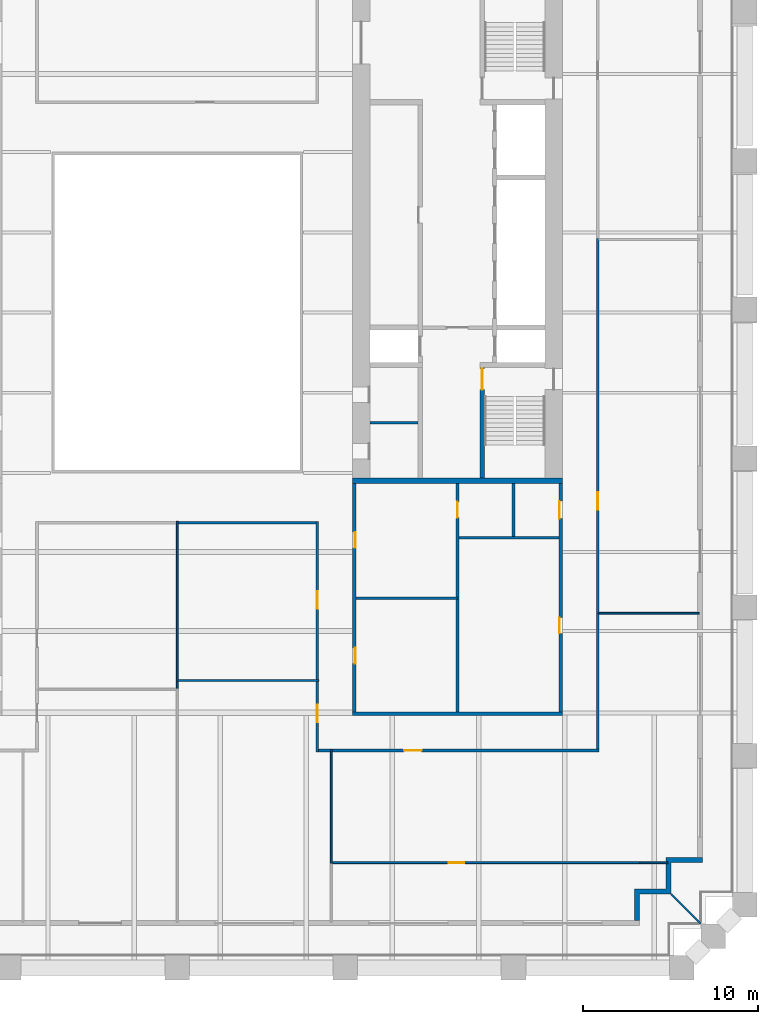
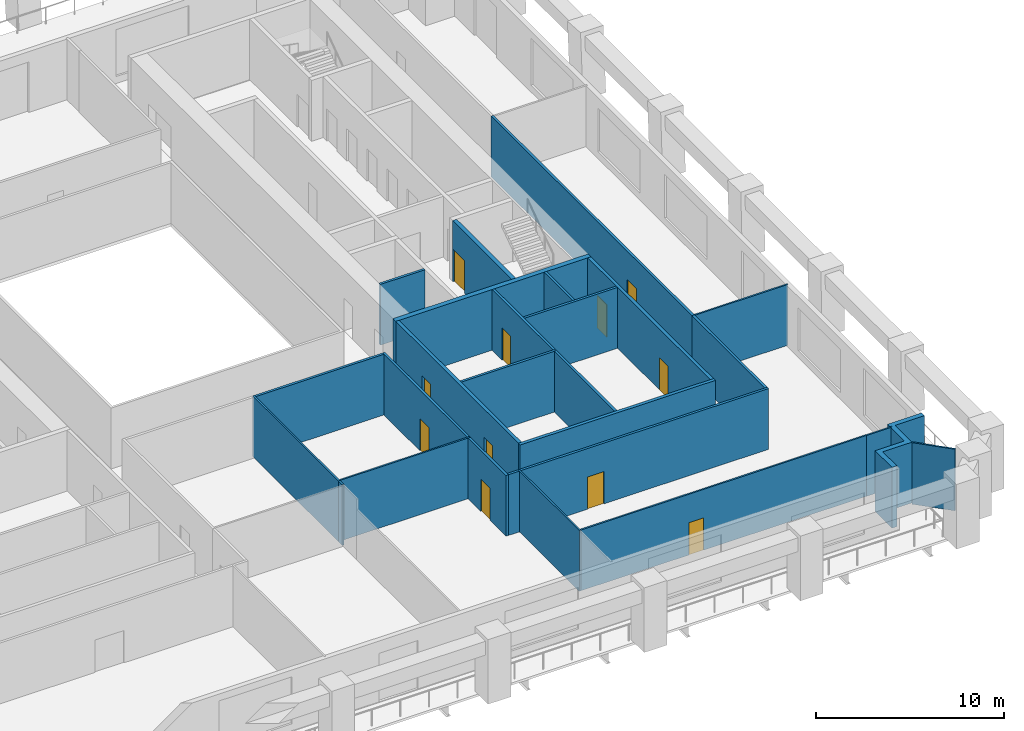
# One storey, part 4 of 9: 26 walls, 11 doors, 11 openings.
"""IFC4 building model written with IfcOpenShell, lengths in metres."""

from ifc_helpers import new_model, si_unit, direction, frame, frame_2d, origin, place, context, subcontext, project, spatial, polyline, rectangle, outline, extrude, material, layer, layer_set, type_object, element, fill, save


model = new_model("IFC4")

# Units and contexts
model_context = context("Model", 3, precision=1e-05, world=origin(), true_north=direction((0.0, 1.0)))
body_context = subcontext(model_context, "Body", "Model", "MODEL_VIEW")
ifc_project = project(units=[si_unit("LENGTHUNIT", "METRE"), si_unit("AREAUNIT", "SQUARE_METRE"), si_unit("VOLUMEUNIT", "CUBIC_METRE"), si_unit("PLANEANGLEUNIT", "RADIAN"), si_unit("MASSUNIT", "GRAM", prefix="KILO")], contexts=[model_context])

# Site, building, storey
site_placement = place(None, origin())
site = spatial("IfcSite", under=ifc_project, at=site_placement, CompositionType="ELEMENT")
building_placement = place(site_placement, origin())
building = spatial("IfcBuilding", under=site, at=building_placement, Name="Ogive Exchange Tower", CompositionType="ELEMENT")
storey_placement = place(building_placement, frame((0.0, 0.0, 85.800048828125)))
storey = spatial("IfcBuildingStorey", under=building, at=storey_placement, Name="L18", CompositionType="ELEMENT", Elevation=85.800048828125)

# Wall
ifc_material_1 = material(Name="Gypsum board partition")
ifc_layer_1 = layer(ifc_material_1, 0.14990234375)
ifc_layer_set_1 = layer_set([ifc_layer_1], Name="Core room partition 150 gypsum")
wall_type_1 = type_object("IfcWallType", Name="Core room partition 150 gypsum", PredefinedType="PARTITIONING", material=ifc_layer_set_1)
wall_1_placement = place(storey_placement, frame((11.0, 0.699951171875, 0.0), z_axis=(0.0, 0.0, 1.0), x_axis=(1.0, 0.0, 0.0)))
element("IfcWall", 1, at=wall_1_placement, inside=storey, type_object=wall_type_1, Name="E south room partition", PredefinedType="PARTITIONING", context=body_context, shape_type="SweptSolid", body=[
    extrude(rectangle(XDim=2.75, YDim=0.14990234375, at=frame_2d((1.375, 0.0))), origin(), (0.0, 0.0, 1.0), 3.949951171875),
])

# Wall, opening, door
wall_2_placement = place(storey_placement, frame((16.0, -15.800048828125, 0.0), z_axis=(0.0, 0.0, 1.0), x_axis=(0.0, 1.0, 0.0)))
wall_2 = element("IfcWall", 2, at=wall_2_placement, inside=storey, type_object=wall_type_1, Name="E annex S column wall", PredefinedType="PARTITIONING", context=body_context, shape_type="SweptSolid", body=[
    extrude(rectangle(XDim=13.050048828125, YDim=0.14990234375, at=frame_2d((6.52490234375, 0.0))), origin(), (0.0, 0.0, 1.0), 3.949951171875),
])
opening_1_placement = place(wall_2_placement, frame((11.08740234375, 0.0, 0.0)))
opening_1 = element("IfcOpeningElement", 3, at=opening_1_placement, cuts=wall_2, Name="Opening L18-C41", PredefinedType="OPENING", context=body_context, shape_type="SweptSolid", body=[
    extrude(rectangle(XDim=0.89990234375, YDim=2.10009765625, at=frame_2d((0.449951171875, 1.050048828125))), frame((0.0, 0.0849609375, 0.0), z_axis=(0.0, -1.0, 0.0), x_axis=(1.0, 0.0, 0.0)), (0.0, 0.0, 1.0), 0.169921875),
])
ifc_material_2 = material(Name="Timber fire door", Category="wood")
door_type_1 = type_object("IfcDoorType", Name="Core room door FD30S 900 x 2100", OperationType="NOTDEFINED", PredefinedType="DOOR", material=ifc_material_2)
door_1_placement = place(opening_1_placement, origin())
door_1 = element("IfcDoor", 4, at=door_1_placement, inside=storey, type_object=door_type_1, Name="Core room door", ObjectType="CD6", OperationType="SINGLE_SWING_LEFT", OverallHeight=2.10009765625, OverallWidth=0.89990234375, PredefinedType="DOOR", context=body_context, shape_type="SweptSolid", body=[
    extrude(rectangle(XDim=0.89990234375, YDim=2.10009765625, at=frame_2d((0.449951171875, 1.050048828125))), frame((0.0, 0.02490234375, 0.0), z_axis=(0.0, -1.0, 0.0), x_axis=(1.0, 0.0, 0.0)), (0.0, 0.0, 1.0), 0.050048828125),
])
fill(opening_1, door_1)

# Walls
wall_3_placement = place(storey_placement, frame((10.199951171875, -9.300048828125, 0.0), z_axis=(0.0, 0.0, 1.0), x_axis=(1.0, 0.0, 0.0)))
element("IfcWall", 5, at=wall_3_placement, inside=storey, type_object=wall_type_1, Name="E annex S cross wall", PredefinedType="PARTITIONING", context=body_context, shape_type="SweptSolid", body=[
    extrude(rectangle(XDim=5.800048828125, YDim=0.14990234375, at=frame_2d((2.89990234375, 0.0))), origin(), (0.0, 0.0, 1.0), 3.949951171875),
])
wall_4_placement = place(storey_placement, frame((16.074951171875, -5.85009765625, 0.0), z_axis=(0.0, 0.0, 1.0), x_axis=(1.0, 0.0, 0.0)))
element("IfcWall", 6, at=wall_4_placement, inside=storey, type_object=wall_type_1, Name="E annex S wc strip wall 00", PredefinedType="PARTITIONING", context=body_context, shape_type="SweptSolid", body=[
    extrude(rectangle(XDim=5.72509765625, YDim=0.14990234375, at=frame_2d((2.862548828125, 0.0))), origin(), (0.0, 0.0, 1.0), 3.949951171875),
])
wall_5_placement = place(storey_placement, frame((19.199951171875, -5.77490234375, 0.0), z_axis=(0.0, 0.0, 1.0), x_axis=(0.0, 1.0, 0.0)))
element("IfcWall", 7, at=wall_5_placement, inside=storey, type_object=wall_type_1, Name="E annex S wc partition 00", PredefinedType="PARTITIONING", context=body_context, shape_type="SweptSolid", body=[
    extrude(rectangle(XDim=3.02490234375, YDim=0.14990234375, at=frame_2d((1.512451171875, 0.0))), origin(), (0.0, 0.0, 1.0), 3.949951171875),
])

# Wall, opening, door
ifc_material_3 = material(Name="Fire partition EI 60 150")
ifc_layer_2 = layer(ifc_material_3, 0.14990234375)
ifc_layer_set_2 = layer_set([ifc_layer_2], Name="Fire partition EI 60 150")
wall_type_2 = type_object("IfcWallType", Name="Fire partition EI 60 150", PredefinedType="PARTITIONING", material=ifc_layer_set_2)
wall_6_placement = place(storey_placement, frame((8.0, -18.074951171875, 0.0), z_axis=(0.0, 0.0, 1.0), x_axis=(0.0, 1.0, 0.0)))
wall_6 = element("IfcWall", 8, at=wall_6_placement, inside=storey, type_object=wall_type_2, Name="L18-PWL-021", PredefinedType="PARTITIONING", context=body_context, shape_type="SweptSolid", body=[
    extrude(rectangle(XDim=4.02490234375, YDim=0.14990234375, at=frame_2d((2.012451171875, 0.0))), origin(), (0.0, 0.0, 1.0), 3.949951171875),
])
opening_2_placement = place(wall_6_placement, frame((1.675048828125, 0.0, 0.0)))
opening_2 = element("IfcOpeningElement", 9, at=opening_2_placement, cuts=wall_6, Name="Opening L18-I05", PredefinedType="OPENING", context=body_context, shape_type="SweptSolid", body=[
    extrude(rectangle(XDim=1.0, YDim=2.10009765625, at=frame_2d((0.5, 1.050048828125))), frame((0.0, 0.0849609375, 0.0), z_axis=(0.0, -1.0, 0.0), x_axis=(1.0, 0.0, 0.0)), (0.0, 0.0, 1.0), 0.169921875),
])
ifc_material_4 = material(Name="Fire door FD 30S 1000 x 2100")
door_type_2 = type_object("IfcDoorType", Name="Fire door FD 30S 1000 x 2100", OperationType="NOTDEFINED", PredefinedType="DOOR", material=ifc_material_4)
door_2_placement = place(opening_2_placement, origin())
door_2 = element("IfcDoor", 10, at=door_2_placement, inside=storey, type_object=door_type_2, Name="L18-IDR-005", ObjectType="DT3", OperationType="SINGLE_SWING_LEFT", OverallHeight=2.10009765625, OverallWidth=1.0, PredefinedType="DOOR", context=body_context, shape_type="SweptSolid", body=[
    extrude(rectangle(XDim=1.0, YDim=2.10009765625, at=frame_2d((0.5, 1.050048828125))), frame((0.0, 0.02490234375, 0.0), z_axis=(0.0, -1.0, 0.0), x_axis=(1.0, 0.0, 0.0)), (0.0, 0.0, 1.0), 0.050048828125),
])
fill(opening_2, door_2)

wall_7_placement = place(storey_placement, frame((8.0, -13.949951171875, 0.0), z_axis=(0.0, 0.0, 1.0), x_axis=(0.0, 1.0, 0.0)))
wall_7 = element("IfcWall", 11, at=wall_7_placement, inside=storey, type_object=wall_type_2, Name="L18-PWL-022", PredefinedType="PARTITIONING", context=body_context, shape_type="SweptSolid", body=[
    extrude(rectangle(XDim=9.02490234375, YDim=0.14990234375, at=frame_2d((4.512451171875, 0.0))), origin(), (0.0, 0.0, 1.0), 3.949951171875),
])
opening_3_placement = place(wall_7_placement, frame((4.050048828125, 0.0, 0.0)))
opening_3 = element("IfcOpeningElement", 12, at=opening_3_placement, cuts=wall_7, Name="Opening L18-I06", PredefinedType="OPENING", context=body_context, shape_type="SweptSolid", body=[
    extrude(rectangle(XDim=1.0, YDim=2.10009765625, at=frame_2d((0.5, 1.050048828125))), frame((0.0, 0.0849609375, 0.0), z_axis=(0.0, -1.0, 0.0), x_axis=(1.0, 0.0, 0.0)), (0.0, 0.0, 1.0), 0.169921875),
])
door_3_placement = place(opening_3_placement, origin())
door_3 = element("IfcDoor", 13, at=door_3_placement, inside=storey, type_object=door_type_2, Name="L18-IDR-006", ObjectType="DT3", OperationType="SINGLE_SWING_RIGHT", OverallHeight=2.10009765625, OverallWidth=1.0, PredefinedType="DOOR", context=body_context, shape_type="SweptSolid", body=[
    extrude(rectangle(XDim=1.0, YDim=2.10009765625, at=frame_2d((0.5, 1.050048828125))), frame((0.0, 0.02490234375, 0.0), z_axis=(0.0, -1.0, 0.0), x_axis=(1.0, 0.0, 0.0)), (0.0, 0.0, 1.0), 0.050048828125),
])
fill(opening_3, door_3)

# Walls
wall_8_placement = place(storey_placement, frame((7.925048828125, -5.0, 0.0), z_axis=(0.0, 0.0, 1.0), x_axis=(-1.0, 0.0, 0.0)))
element("IfcWall", 14, at=wall_8_placement, inside=storey, type_object=wall_type_2, Name="L18-PWL-023", PredefinedType="PARTITIONING", context=body_context, shape_type="SweptSolid", body=[
    extrude(rectangle(XDim=7.875, YDim=0.14990234375, at=frame_2d((3.9375, 0.0))), origin(), (0.0, 0.0, 1.0), 3.949951171875),
])
wall_9_placement = place(storey_placement, frame((8.75, -18.0, 0.0), z_axis=(0.0, 0.0, 1.0), x_axis=(-1.0, 0.0, 0.0)))
element("IfcWall", 15, at=wall_9_placement, inside=storey, type_object=wall_type_2, Name="L18-PWL-029", PredefinedType="PARTITIONING", context=body_context, shape_type="SweptSolid", body=[
    extrude(rectangle(XDim=0.675048828125, YDim=0.14990234375, at=frame_2d((0.33740234375, 0.0))), origin(), (0.0, 0.0, 1.0), 3.949951171875),
])

# Wall, opening, door
wall_10_placement = place(storey_placement, frame((24.074951171875, -18.0, 0.0), z_axis=(0.0, 0.0, 1.0), x_axis=(-1.0, 0.0, 0.0)))
wall_10 = element("IfcWall", 16, at=wall_10_placement, inside=storey, type_object=wall_type_2, Name="L18-PWL-030", PredefinedType="PARTITIONING", context=body_context, shape_type="SweptSolid", body=[
    extrude(rectangle(XDim=15.224853515625, YDim=0.14990234375, at=frame_2d((7.6123046875, 0.0))), origin(), (0.0, 0.0, 1.0), 3.949951171875),
])
opening_4_placement = place(wall_10_placement, frame((10.125, 0.0, 0.0)))
opening_4 = element("IfcOpeningElement", 17, at=opening_4_placement, cuts=wall_10, Name="Opening L18-I02", PredefinedType="OPENING", context=body_context, shape_type="SweptSolid", body=[
    extrude(rectangle(XDim=1.0, YDim=2.10009765625, at=frame_2d((0.5, 1.050048828125))), frame((0.0, 0.0849609375, 0.0), z_axis=(0.0, -1.0, 0.0), x_axis=(1.0, 0.0, 0.0)), (0.0, 0.0, 1.0), 0.169921875),
])
door_4_placement = place(opening_4_placement, origin())
door_4 = element("IfcDoor", 18, at=door_4_placement, inside=storey, type_object=door_type_2, Name="L18-IDR-002", ObjectType="DT3", OperationType="SINGLE_SWING_LEFT", OverallHeight=2.10009765625, OverallWidth=1.0, PredefinedType="DOOR", context=body_context, shape_type="SweptSolid", body=[
    extrude(rectangle(XDim=1.0, YDim=2.10009765625, at=frame_2d((0.5, 1.050048828125))), frame((0.0, 0.02490234375, 0.0), z_axis=(0.0, -1.0, 0.0), x_axis=(1.0, 0.0, 0.0)), (0.0, 0.0, 1.0), 0.050048828125),
])
fill(opening_4, door_4)

# Wall
wall_11_placement = place(storey_placement, frame((24.0, -10.169921875, 0.0), z_axis=(0.0, 0.0, 1.0), x_axis=(0.0, -1.0, 0.0)))
element("IfcWall", 19, at=wall_11_placement, inside=storey, type_object=wall_type_2, Name="L18-PWL-031", PredefinedType="PARTITIONING", context=body_context, shape_type="SweptSolid", body=[
    extrude(rectangle(XDim=7.755126953125, YDim=0.14990234375, at=frame_2d((3.87744140625, 0.0))), origin(), (0.0, 0.0, 1.0), 3.949951171875),
])

# Wall, opening, door
wall_12_placement = place(storey_placement, frame((24.0, 11.219970703125, 0.0), z_axis=(0.0, 0.0, 1.0), x_axis=(0.0, -1.0, 0.0)))
wall_12 = element("IfcWall", 20, at=wall_12_placement, inside=storey, type_object=wall_type_2, Name="L18-PWL-033", PredefinedType="PARTITIONING", context=body_context, shape_type="SweptSolid", body=[
    extrude(rectangle(XDim=21.389892578125, YDim=0.14990234375, at=frame_2d((10.69482421875, 0.0))), origin(), (0.0, 0.0, 1.0), 3.949951171875),
])
opening_5_placement = place(wall_12_placement, frame((14.489990234375, 0.0, 0.0)))
opening_5 = element("IfcOpeningElement", 21, at=opening_5_placement, cuts=wall_12, Name="Opening L18-I03", PredefinedType="OPENING", context=body_context, shape_type="SweptSolid", body=[
    extrude(rectangle(XDim=1.0, YDim=2.10009765625, at=frame_2d((0.5, 1.050048828125))), frame((0.0, 0.0849609375, 0.0), z_axis=(0.0, -1.0, 0.0), x_axis=(1.0, 0.0, 0.0)), (0.0, 0.0, 1.0), 0.169921875),
])
door_5_placement = place(opening_5_placement, origin())
door_5 = element("IfcDoor", 22, at=door_5_placement, inside=storey, type_object=door_type_2, Name="L18-IDR-003", ObjectType="DT3", OperationType="SINGLE_SWING_LEFT", OverallHeight=2.10009765625, OverallWidth=1.0, PredefinedType="DOOR", context=body_context, shape_type="SweptSolid", body=[
    extrude(rectangle(XDim=1.0, YDim=2.10009765625, at=frame_2d((0.5, 1.050048828125))), frame((0.0, 0.02490234375, 0.0), z_axis=(0.0, -1.0, 0.0), x_axis=(1.0, 0.0, 0.0)), (0.0, 0.0, 1.0), 0.050048828125),
])
fill(opening_5, door_5)

# Walls
ifc_material_5 = material(Name="Precast concrete C40/50", Category="concrete")
ifc_layer_3 = layer(ifc_material_5, 0.300048828125)
ifc_layer_set_3 = layer_set([ifc_layer_3], Name="Limestone-faced wall 300")
wall_type_3 = type_object("IfcWallType", Name="Limestone-faced wall 300", PredefinedType="STANDARD", material=ifc_layer_set_3)
wall_13_placement = place(storey_placement, origin())
element("IfcWall", 23, at=wall_13_placement, inside=storey, type_object=wall_type_3, Name="External corner wall C1", PredefinedType="STANDARD", context=body_context, shape_type="SweptSolid", body=[
    extrude(outline(polyline([(27.89990234375, -25.89990234375), (27.89990234375, -24.10009765625), (30.0, -24.10009765625), (30.0, -24.39990234375), (28.199951171875, -24.39990234375), (28.199951171875, -26.199951171875), (26.39990234375, -26.199951171875), (26.39990234375, -27.699951171875), (26.10009765625, -27.699951171875), (26.10009765625, -25.89990234375), (27.89990234375, -25.89990234375)])), origin(), (0.0, 0.0, 1.0), 3.949951171875),
])
ifc_material_6 = material(Name="Laminated safety glass in steel frame", Category="steel")
ifc_layer_4 = layer(ifc_material_6, 0.10009765625)
ifc_layer_set_4 = layer_set([ifc_layer_4], Name="Loggia end screen 100")
wall_type_4 = type_object("IfcWallType", Name="Loggia end screen 100", PredefinedType="STANDARD", material=ifc_layer_set_4)
wall_14_placement = place(storey_placement, frame((28.199951171875, -26.199951171875, -0.050048828125), z_axis=(0.0, 0.0, 1.0), x_axis=(0.707106781187, -0.707106781187, 0.0)))
element("IfcWall", 24, at=wall_14_placement, inside=storey, type_object=wall_type_4, Name="Loggia end screen C1", PredefinedType="STANDARD", context=body_context, shape_type="SweptSolid", body=[
    extrude(rectangle(XDim=2.384521484375, YDim=0.10009765625, at=frame_2d((1.1923828125, 0.0))), origin(), (0.0, 0.0, 1.0), 4.0),
])
ifc_material_7 = material(Name="Partition 100 gypsum")
ifc_layer_5 = layer(ifc_material_7, 0.10009765625)
ifc_layer_set_5 = layer_set([ifc_layer_5], Name="Partition 100 gypsum")
wall_type_5 = type_object("IfcWallType", Name="Partition 100 gypsum", PredefinedType="PARTITIONING", material=ifc_layer_set_5)
wall_15_placement = place(storey_placement, frame((0.0, -14.449951171875, 0.0), z_axis=(0.0, 0.0, 1.0), x_axis=(0.0, 1.0, 0.0)))
element("IfcWall", 25, at=wall_15_placement, inside=storey, type_object=wall_type_5, Name="L18-PWL-017", PredefinedType="PARTITIONING", context=body_context, shape_type="SweptSolid", body=[
    extrude(rectangle(XDim=0.39990234375, YDim=0.10009765625, at=frame_2d((0.199951171875, 0.0))), origin(), (0.0, 0.0, 1.0), 3.949951171875),
])
wall_16_placement = place(storey_placement, frame((0.0, -14.050048828125, 0.0), z_axis=(0.0, 0.0, 1.0), x_axis=(0.0, 1.0, 0.0)))
element("IfcWall", 26, at=wall_16_placement, inside=storey, type_object=wall_type_5, Name="L18-PWL-018", PredefinedType="PARTITIONING", context=body_context, shape_type="SweptSolid", body=[
    extrude(rectangle(XDim=9.125, YDim=0.10009765625, at=frame_2d((4.5625, 0.0))), origin(), (0.0, 0.0, 1.0), 3.949951171875),
])
wall_17_placement = place(storey_placement, frame((0.050048828125, -14.0, 0.0), z_axis=(0.0, 0.0, 1.0), x_axis=(1.0, 0.0, 0.0)))
element("IfcWall", 27, at=wall_17_placement, inside=storey, type_object=wall_type_5, Name="L18-PWL-019", PredefinedType="PARTITIONING", context=body_context, shape_type="SweptSolid", body=[
    extrude(rectangle(XDim=8.02490234375, YDim=0.10009765625, at=frame_2d((4.012451171875, 0.0))), origin(), (0.0, 0.0, 1.0), 3.949951171875),
])
wall_18_placement = place(storey_placement, frame((8.800048828125, -24.449951171875, 0.0), z_axis=(0.0, 0.0, 1.0), x_axis=(0.0, 1.0, 0.0)))
element("IfcWall", 28, at=wall_18_placement, inside=storey, type_object=wall_type_5, Name="L18-PWL-027", PredefinedType="PARTITIONING", context=body_context, shape_type="SweptSolid", body=[
    extrude(rectangle(XDim=6.52490234375, YDim=0.10009765625, at=frame_2d((3.262451171875, 0.0))), origin(), (0.0, 0.0, 1.0), 3.949951171875),
])

# Wall, opening, door
wall_19_placement = place(storey_placement, frame((8.85009765625, -24.39990234375, 0.0), z_axis=(0.0, 0.0, 1.0), x_axis=(1.0, 0.0, 0.0)))
wall_19 = element("IfcWall", 29, at=wall_19_placement, inside=storey, type_object=wall_type_5, Name="L18-PWL-028", PredefinedType="PARTITIONING", context=body_context, shape_type="SweptSolid", body=[
    extrude(rectangle(XDim=17.559814453125, YDim=0.10009765625, at=frame_2d((8.77978515625, 0.0))), origin(), (0.0, 0.0, 1.0), 3.949951171875),
])
opening_6_placement = place(wall_19_placement, frame((6.64990234375, 0.0, 0.0)))
opening_6 = element("IfcOpeningElement", 30, at=opening_6_placement, cuts=wall_19, Name="Opening L18-I01", PredefinedType="OPENING", context=body_context, shape_type="SweptSolid", body=[
    extrude(rectangle(XDim=0.89990234375, YDim=2.10009765625, at=frame_2d((0.449951171875, 1.050048828125))), frame((0.0, 0.06005859375, 0.0), z_axis=(0.0, -1.0, 0.0), x_axis=(1.0, 0.0, 0.0)), (0.0, 0.0, 1.0), 0.1201171875),
])
ifc_material_8 = material(Name="Door 900 x 2100")
door_type_3 = type_object("IfcDoorType", Name="Door 900 x 2100", OperationType="NOTDEFINED", PredefinedType="DOOR", material=ifc_material_8)
door_6_placement = place(opening_6_placement, frame((0.89990234375, 0.0, 0.0), z_axis=(0.0, 0.0, 1.0), x_axis=(-1.0, 0.0, 0.0)))
door_6 = element("IfcDoor", 31, at=door_6_placement, inside=storey, type_object=door_type_3, Name="L18-IDR-001", ObjectType="DT1", OperationType="SINGLE_SWING_RIGHT", OverallHeight=2.10009765625, OverallWidth=0.89990234375, PredefinedType="DOOR", context=body_context, shape_type="SweptSolid", body=[
    extrude(rectangle(XDim=0.89990234375, YDim=2.10009765625, at=frame_2d((0.449951171875, 1.050048828125))), frame((0.0, 0.02490234375, 0.0), z_axis=(0.0, -1.0, 0.0), x_axis=(1.0, 0.0, 0.0)), (0.0, 0.0, 1.0), 0.050048828125),
])
fill(opening_6, door_6)

# Walls
wall_20_placement = place(storey_placement, frame((24.074951171875, -10.169921875, 0.0), z_axis=(0.0, 0.0, 1.0), x_axis=(1.0, 0.0, 0.0)))
element("IfcWall", 32, at=wall_20_placement, inside=storey, type_object=wall_type_5, Name="L18-PWL-032", PredefinedType="PARTITIONING", context=body_context, shape_type="SweptSolid", body=[
    extrude(rectangle(XDim=5.72509765625, YDim=0.10009765625, at=frame_2d((2.862548828125, 0.0))), origin(), (0.0, 0.0, 1.0), 3.949951171875),
])
wall_21_placement = place(storey_placement, frame((26.409912109375, -24.409912109375, 0.0), z_axis=(0.0, 0.0, 1.0), x_axis=(1.0, 0.0, 0.0)))
element("IfcWall", 33, at=wall_21_placement, inside=storey, type_object=wall_type_5, Name="L18-PWL-037", PredefinedType="PARTITIONING", context=body_context, shape_type="SweptSolid", body=[
    extrude(rectangle(XDim=1.590087890625, YDim=0.10009765625, at=frame_2d((0.794921875, 0.0))), origin(), (0.0, 0.0, 1.0), 3.949951171875),
])

# Wall, openings, doors
ifc_material_9 = material(Name="Concrete C70/85", Category="concrete")
ifc_layer_6 = layer(ifc_material_9, 0.199951171875)
ifc_layer_set_6 = layer_set([ifc_layer_6], Name="RC core wall 200 C70/85")
wall_type_6 = type_object("IfcWallType", Name="RC core wall 200 C70/85", PredefinedType="SHEAR", material=ifc_layer_set_6)
wall_22_placement = place(storey_placement, frame((21.89990234375, -15.800048828125, 0.0), z_axis=(0.0, 0.0, 1.0), x_axis=(0.0, 1.0, 0.0)))
wall_22 = element("IfcWall", 34, at=wall_22_placement, inside=storey, type_object=wall_type_6, Name="E annex S outer wall", PredefinedType="SHEAR", context=body_context, shape_type="SweptSolid", body=[
    extrude(rectangle(XDim=13.050048828125, YDim=0.199951171875, at=frame_2d((6.52490234375, 0.0))), origin(), (0.0, 0.0, 1.0), 3.949951171875),
])
opening_7_placement = place(wall_22_placement, frame((4.487548828125, 0.0, 0.0)))
opening_7 = element("IfcOpeningElement", 35, at=opening_7_placement, cuts=wall_22, Name="Opening L18-C39", PredefinedType="OPENING", context=body_context, shape_type="SweptSolid", body=[
    extrude(rectangle(XDim=0.89990234375, YDim=2.10009765625, at=frame_2d((0.449951171875, 1.050048828125))), frame((0.0, 0.10986328125, 0.0), z_axis=(0.0, -1.0, 0.0), x_axis=(1.0, 0.0, 0.0)), (0.0, 0.0, 1.0), 0.219970703125),
])
opening_8_placement = place(wall_22_placement, frame((11.03759765625, 0.0, 0.0)))
opening_8 = element("IfcOpeningElement", 36, at=opening_8_placement, cuts=wall_22, Name="Opening L18-C40", PredefinedType="OPENING", context=body_context, shape_type="SweptSolid", body=[
    extrude(rectangle(XDim=1.0, YDim=2.10009765625, at=frame_2d((0.5, 1.050048828125))), frame((0.0, 0.10986328125, 0.0), z_axis=(0.0, -1.0, 0.0), x_axis=(1.0, 0.0, 0.0)), (0.0, 0.0, 1.0), 0.219970703125),
])
door_type_4 = type_object("IfcDoorType", Name="Accessible WC door FD30S 1000 x 2100", OperationType="NOTDEFINED", PredefinedType="DOOR", material=ifc_material_2)
door_7_placement = place(opening_8_placement, origin())
door_7 = element("IfcDoor", 37, at=door_7_placement, inside=storey, type_object=door_type_4, Name="Accessible WC door", ObjectType="CD7", OperationType="SINGLE_SWING_LEFT", OverallHeight=2.10009765625, OverallWidth=1.0, PredefinedType="DOOR", context=body_context, shape_type="SweptSolid", body=[
    extrude(rectangle(XDim=1.0, YDim=2.10009765625, at=frame_2d((0.5, 1.050048828125))), frame((0.0, 0.10009765625, 0.0), z_axis=(0.0, -1.0, 0.0), x_axis=(1.0, 0.0, 0.0)), (0.0, 0.0, 1.0), 0.050048828125),
])
fill(opening_8, door_7)
ifc_material_10 = material(Name="Steel fire door", Category="steel")
door_type_5 = type_object("IfcDoorType", Name="Riser door FD60 900 x 2100", OperationType="NOTDEFINED", PredefinedType="DOOR", material=ifc_material_10)
door_8_placement = place(opening_7_placement, origin())
door_8 = element("IfcDoor", 38, at=door_8_placement, inside=storey, type_object=door_type_5, Name="Riser door", ObjectType="CD2", OperationType="SINGLE_SWING_RIGHT", OverallHeight=2.10009765625, OverallWidth=0.89990234375, PredefinedType="DOOR", context=body_context, shape_type="SweptSolid", body=[
    extrude(rectangle(XDim=0.89990234375, YDim=2.10009765625, at=frame_2d((0.449951171875, 1.050048828125))), frame((0.0, 0.10009765625, 0.0), z_axis=(0.0, -1.0, 0.0), x_axis=(1.0, 0.0, 0.0)), (0.0, 0.0, 1.0), 0.050048828125),
])
fill(opening_7, door_8)

wall_23_placement = place(storey_placement, frame((10.10009765625, -15.800048828125, 0.0), z_axis=(0.0, 0.0, 1.0), x_axis=(0.0, 1.0, 0.0)))
wall_23 = element("IfcWall", 39, at=wall_23_placement, inside=storey, type_object=wall_type_6, Name="E annex S inner wall", PredefinedType="SHEAR", context=body_context, shape_type="SweptSolid", body=[
    extrude(rectangle(XDim=13.050048828125, YDim=0.199951171875, at=frame_2d((6.52490234375, 0.0))), origin(), (0.0, 0.0, 1.0), 3.949951171875),
])
opening_9_placement = place(wall_23_placement, frame((2.762451171875, 0.0, 0.0)))
opening_9 = element("IfcOpeningElement", 40, at=opening_9_placement, cuts=wall_23, Name="Opening L18-C42", PredefinedType="OPENING", context=body_context, shape_type="SweptSolid", body=[
    extrude(rectangle(XDim=0.89990234375, YDim=2.10009765625, at=frame_2d((0.449951171875, 1.050048828125))), frame((0.0, 0.10986328125, 0.0), z_axis=(0.0, -1.0, 0.0), x_axis=(1.0, 0.0, 0.0)), (0.0, 0.0, 1.0), 0.219970703125),
])
opening_10_placement = place(wall_23_placement, frame((9.362548828125, 0.0, 0.0)))
opening_10 = element("IfcOpeningElement", 41, at=opening_10_placement, cuts=wall_23, Name="Opening L18-C43", PredefinedType="OPENING", context=body_context, shape_type="SweptSolid", body=[
    extrude(rectangle(XDim=0.89990234375, YDim=2.10009765625, at=frame_2d((0.449951171875, 1.050048828125))), frame((0.0, 0.10986328125, 0.0), z_axis=(0.0, -1.0, 0.0), x_axis=(1.0, 0.0, 0.0)), (0.0, 0.0, 1.0), 0.219970703125),
])
door_9_placement = place(opening_9_placement, frame((0.89990234375, -0.14990234375, 0.0), z_axis=(0.0, 0.0, 1.0), x_axis=(-1.0, 0.0, 0.0)))
door_9 = element("IfcDoor", 42, at=door_9_placement, inside=storey, type_object=door_type_5, Name="Riser door", ObjectType="CD2", OperationType="SINGLE_SWING_RIGHT", OverallHeight=2.10009765625, OverallWidth=0.89990234375, PredefinedType="DOOR", context=body_context, shape_type="SweptSolid", body=[
    extrude(rectangle(XDim=0.89990234375, YDim=2.10009765625, at=frame_2d((0.449951171875, 1.050048828125))), frame((0.0, -0.0498046875, 0.0), z_axis=(0.0, -1.0, 0.0), x_axis=(1.0, 0.0, 0.0)), (0.0, 0.0, 1.0), 0.050048828125),
])
fill(opening_9, door_9)
door_10_placement = place(opening_10_placement, frame((0.89990234375, -0.14990234375, 0.0), z_axis=(0.0, 0.0, 1.0), x_axis=(-1.0, 0.0, 0.0)))
door_10 = element("IfcDoor", 43, at=door_10_placement, inside=storey, type_object=door_type_5, Name="Riser door", ObjectType="CD2", OperationType="SINGLE_SWING_RIGHT", OverallHeight=2.10009765625, OverallWidth=0.89990234375, PredefinedType="DOOR", context=body_context, shape_type="SweptSolid", body=[
    extrude(rectangle(XDim=0.89990234375, YDim=2.10009765625, at=frame_2d((0.449951171875, 1.050048828125))), frame((0.0, -0.0498046875, 0.0), z_axis=(0.0, -1.0, 0.0), x_axis=(1.0, 0.0, 0.0)), (0.0, 0.0, 1.0), 0.050048828125),
])
fill(opening_10, door_10)

# Wall
wall_24_placement = place(storey_placement, frame((10.0, -15.89990234375, 0.0), z_axis=(0.0, 0.0, 1.0), x_axis=(1.0, 0.0, 0.0)))
element("IfcWall", 44, at=wall_24_placement, inside=storey, type_object=wall_type_6, Name="E annex S end wall", PredefinedType="SHEAR", context=body_context, shape_type="SweptSolid", body=[
    extrude(rectangle(XDim=12.0, YDim=0.199951171875, at=frame_2d((6.0, 0.0))), origin(), (0.0, 0.0, 1.0), 3.949951171875),
])

# Wall, opening, door
ifc_layer_7 = layer(ifc_material_9, 0.25)
ifc_layer_set_7 = layer_set([ifc_layer_7], Name="RC core wall 250 C70/85")
wall_type_7 = type_object("IfcWallType", Name="RC core wall 250 C70/85", PredefinedType="SHEAR", material=ifc_layer_set_7)
wall_25_placement = place(storey_placement, frame((17.425048828125, -2.449951171875, 0.0), z_axis=(0.0, 0.0, 1.0), x_axis=(0.0, 1.0, 0.0)))
wall_25 = element("IfcWall", 45, at=wall_25_placement, inside=storey, type_object=wall_type_7, Name="E stair S front wall", PredefinedType="SHEAR", context=body_context, shape_type="SweptSolid", body=[
    extrude(rectangle(XDim=6.300048828125, YDim=0.25, at=frame_2d((3.14990234375, 0.0))), origin(), (0.0, 0.0, 1.0), 3.949951171875),
])
opening_11_placement = place(wall_25_placement, frame((5.050048828125, 0.0, 0.0)))
opening_11 = element("IfcOpeningElement", 46, at=opening_11_placement, cuts=wall_25, Name="Opening L18-C33", PredefinedType="OPENING", context=body_context, shape_type="SweptSolid", body=[
    extrude(rectangle(XDim=1.199951171875, YDim=2.10009765625, at=frame_2d((0.60009765625, 1.050048828125))), frame((0.0, 0.135009765625, 0.0), z_axis=(0.0, -1.0, 0.0), x_axis=(1.0, 0.0, 0.0)), (0.0, 0.0, 1.0), 0.27001953125),
])
door_type_6 = type_object("IfcDoorType", Name="Stair door FD90 1200 x 2100", OperationType="NOTDEFINED", PredefinedType="DOOR", material=ifc_material_10)
door_11_placement = place(opening_11_placement, frame((1.199951171875, 0.0, 0.0), z_axis=(0.0, 0.0, 1.0), x_axis=(-1.0, 0.0, 0.0)))
door_11 = element("IfcDoor", 47, at=door_11_placement, inside=storey, type_object=door_type_6, Name="Stair door", ObjectType="CD5", OperationType="SINGLE_SWING_RIGHT", OverallHeight=2.10009765625, OverallWidth=1.199951171875, PredefinedType="DOOR", context=body_context, shape_type="SweptSolid", body=[
    extrude(rectangle(XDim=1.199951171875, YDim=2.10009765625, at=frame_2d((0.60009765625, 1.050048828125))), frame((0.0, 0.02490234375, 0.0), z_axis=(0.0, -1.0, 0.0), x_axis=(1.0, 0.0, 0.0)), (0.0, 0.0, 1.0), 0.050048828125),
])
fill(opening_11, door_11)

# Wall
ifc_layer_8 = layer(ifc_material_9, 0.300048828125)
ifc_layer_set_8 = layer_set([ifc_layer_8], Name="RC core wall 300 C70/85")
wall_type_8 = type_object("IfcWallType", Name="RC core wall 300 C70/85", PredefinedType="SHEAR", material=ifc_layer_set_8)
wall_26_placement = place(storey_placement, frame((10.0, -2.60009765625, 0.0), z_axis=(0.0, 0.0, 1.0), x_axis=(1.0, 0.0, 0.0)))
element("IfcWall", 48, at=wall_26_placement, inside=storey, type_object=wall_type_8, Name="E south end wall", PredefinedType="SHEAR", context=body_context, shape_type="SweptSolid", body=[
    extrude(rectangle(XDim=12.0, YDim=0.300048828125, at=frame_2d((6.0, 0.0))), origin(), (0.0, 0.0, 1.0), 3.949951171875),
])

save(model, "model.ifc")
